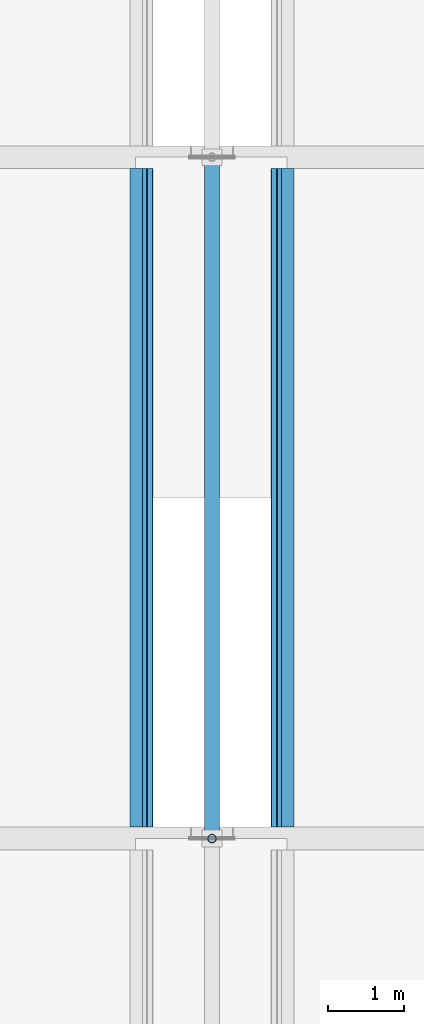
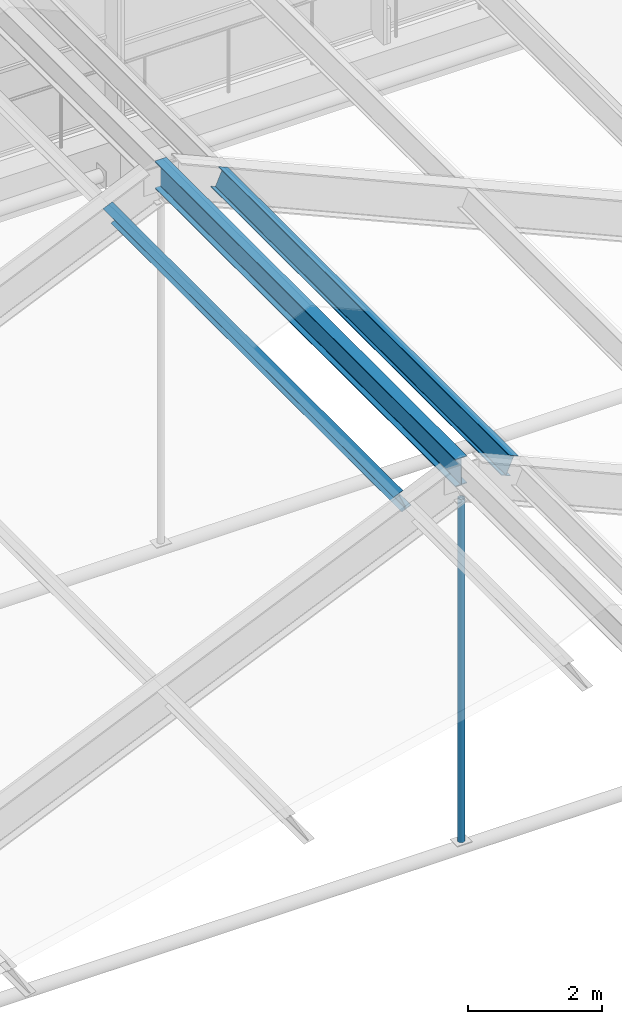
# One storey, part 41 of 106: 4 members.
"""IFC4 building model written with IfcOpenShell, lengths in metres."""

from ifc_helpers import new_model, si_unit, direction, frame, origin, origin_2d, place, context, subcontext, project, spatial, hollow_circle, i_section, extrude, material, material_profile, profile_set, type_object, element, save


model = new_model("IFC4")

# Units and contexts
model_context = context("Model", 3, precision=1e-05, world=origin(), true_north=direction((0.0, 1.0)))
body_context = subcontext(model_context, "Body", "Model", "MODEL_VIEW")
ifc_project = project(units=[si_unit("LENGTHUNIT", "METRE"), si_unit("AREAUNIT", "SQUARE_METRE"), si_unit("VOLUMEUNIT", "CUBIC_METRE"), si_unit("PLANEANGLEUNIT", "RADIAN"), si_unit("MASSUNIT", "GRAM", prefix="KILO")], contexts=[model_context])

# Site, building, storey
site_placement = place(None, origin())
site = spatial("IfcSite", under=ifc_project, at=site_placement, CompositionType="ELEMENT")
building_placement = place(site_placement, origin())
building = spatial("IfcBuilding", under=site, at=building_placement, Name="Guidao Yard Department Store", CompositionType="ELEMENT")
storey_placement = place(building_placement, frame((0.0, 0.0, 10.5)))
storey = spatial("IfcBuildingStorey", under=building, at=storey_placement, Name="L02", CompositionType="ELEMENT", Elevation=10.5)

# Members
ifc_material_1 = material(Name="Steel Q355B", Category="steel")
ifc_material_profile_1 = material_profile(ifc_material_1, hollow_circle(Radius=0.056884765625, WallThickness=0.006103515625, at=origin_2d()), Name="CHS 114x6")
ifc_profile_set_1 = profile_set([ifc_material_profile_1], Name="Steel Q355B")
member_type_1 = type_object("IfcMemberType", Name="CHS 114x6", PredefinedType="BRACE", material=ifc_profile_set_1)
member_1_placement = place(storey_placement, frame((139.5, 72.0, -0.33447265625), z_axis=(0.0, 0.0, 1.0), x_axis=(1.0, 0.0, 0.0)))
element("IfcMember", 1, at=member_1_placement, inside=storey, type_object=member_type_1, Name="Roof web strut F03-01", PredefinedType="BRACE", context=body_context, shape_type="SweptSolid", body=[
    extrude(hollow_circle(Radius=0.056884765625, WallThickness=0.006103515625, at=origin_2d()), origin(), (0.0, 0.0, 1.0), 6.272705078125),
])
ifc_material_2 = material(Name="Steel Q355B", Category="steel")
ifc_material_profile_2 = material_profile(ifc_material_2, i_section(OverallWidth=0.175048828125, OverallDepth=0.35009765625, WebThickness=0.007080078125, FlangeThickness=0.010986328125, FilletRadius=0.012939453125, at=origin_2d()), Name="HN 350x175x7x11")
ifc_profile_set_2 = profile_set([ifc_material_profile_2], Name="Steel Q355B")
member_type_2 = type_object("IfcMemberType", Name="HN 350x175x7x11", PredefinedType="PURLIN", material=ifc_profile_set_2)
for number, where, z_axis, x_axis, name in (
    (2, (138.5703125, 72.14990234375, 6.10302734375), (0.0, 1.0, 0.0), (-0.915526159115, 0.0, -0.402258439285), "Roof purlin F03-03"),
    (3, (140.4296875, 72.14990234375, 6.10302734375), (0.0, 1.0, 0.0), (-0.915526159115, 0.0, 0.402258439285), "Roof purlin F03-05"),
):
    element("IfcMember", number, at=place(storey_placement, frame(where, z_axis=z_axis, x_axis=x_axis)), inside=storey, type_object=member_type_2, Name=name, PredefinedType="PURLIN", context=body_context, shape_type="SweptSolid", body=[
        extrude(i_section(OverallWidth=0.175048828125, OverallDepth=0.35009765625, WebThickness=0.007080078125, FlangeThickness=0.010986328125, FilletRadius=0.012939453125, at=origin_2d()), origin(), (0.0, 0.0, 1.0), 8.7001953125),
    ])
ifc_material_3 = material(Name="Steel Q355B", Category="steel")
ifc_material_profile_3 = material_profile(ifc_material_3, i_section(OverallWidth=0.199951171875, OverallDepth=0.5, WebThickness=0.010009765625, FlangeThickness=0.01611328125, FilletRadius=0.012939453125, at=origin_2d()), Name="HN 500x200x10x16")
ifc_profile_set_3 = profile_set([ifc_material_profile_3], Name="Steel Q355B")
member_type_3 = type_object("IfcMemberType", Name="HN 500x200x10x16", PredefinedType="PURLIN", material=ifc_profile_set_3)
member_2_placement = place(storey_placement, frame((139.5, 72.0, 6.415771484375), z_axis=(0.0, 1.0, 0.0), x_axis=(-1.0, 0.0, 0.0)))
element("IfcMember", 4, at=member_2_placement, inside=storey, type_object=member_type_3, Name="Roof ridge purlin F03-04", PredefinedType="PURLIN", context=body_context, shape_type="SweptSolid", body=[
    extrude(i_section(OverallWidth=0.199951171875, OverallDepth=0.5, WebThickness=0.010009765625, FlangeThickness=0.01611328125, FilletRadius=0.012939453125, at=origin_2d()), origin(), (0.0, 0.0, 1.0), 9.0),
])

save(model, "model.ifc")
